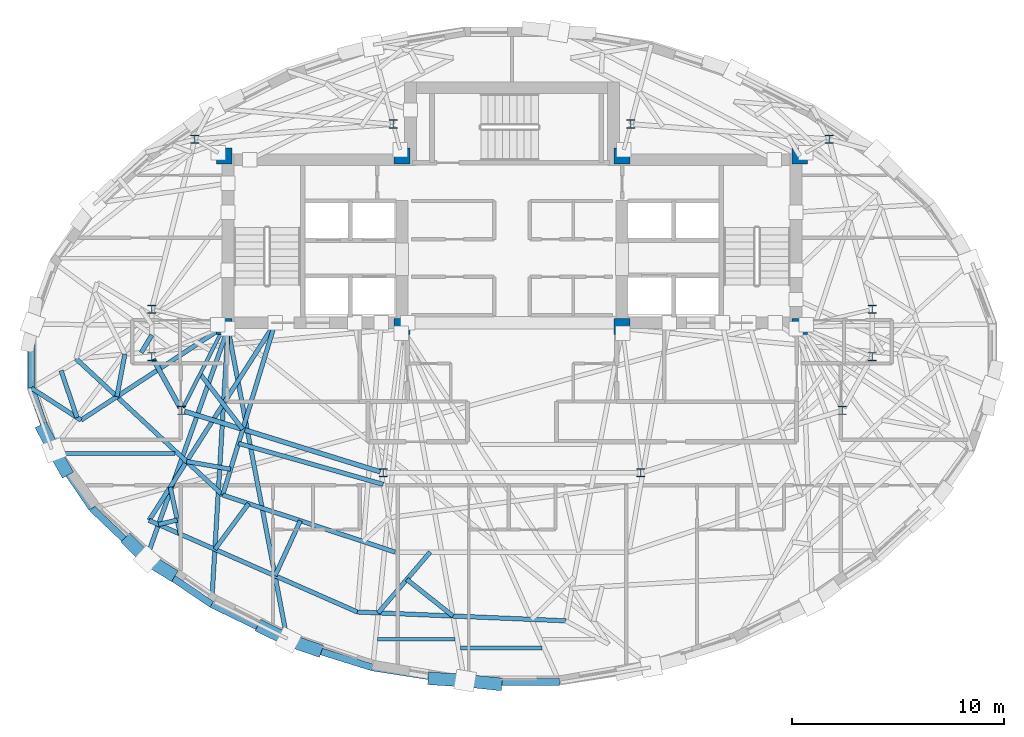
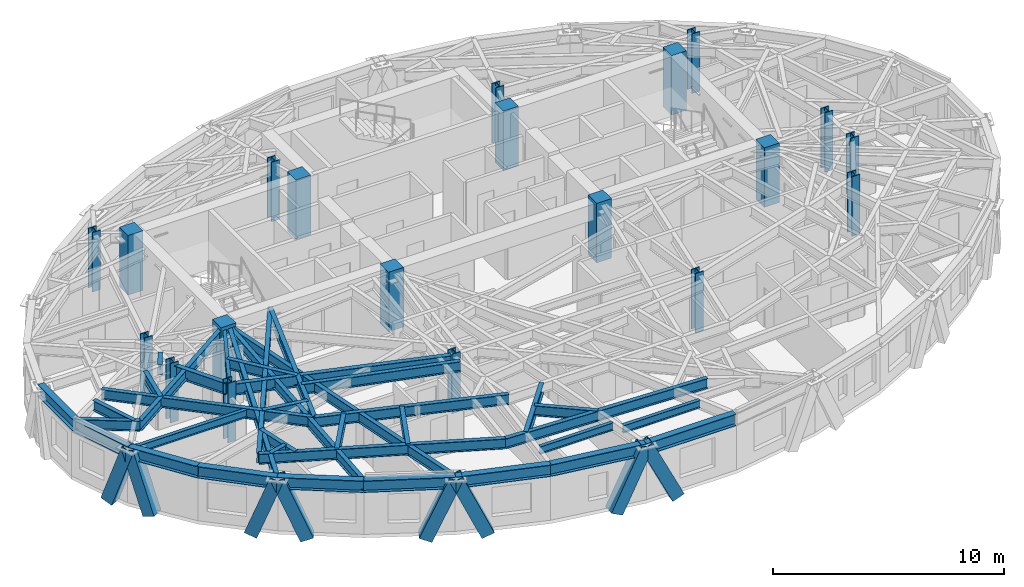
# One storey, part 1 of 14: 38 beams, 20 columns, 8 members.
"""IFC4 building model written with IfcOpenShell, lengths in metres."""

from ifc_helpers import new_model, si_unit, direction, frame, origin, origin_2d, place, context, subcontext, project, spatial, rectangle, hollow_rectangle, i_section, extrude, material, material_profile, profile_set, type_object, element, save


model = new_model("IFC4")

# Units and contexts
model_context = context("Model", 3, precision=1e-05, world=origin(), true_north=direction((0.0, 1.0)))
body_context = subcontext(model_context, "Body", "Model", "MODEL_VIEW")
ifc_project = project(units=[si_unit("LENGTHUNIT", "METRE"), si_unit("AREAUNIT", "SQUARE_METRE"), si_unit("VOLUMEUNIT", "CUBIC_METRE"), si_unit("PLANEANGLEUNIT", "RADIAN"), si_unit("MASSUNIT", "GRAM", prefix="KILO")], contexts=[model_context])

# Site, building, storey
site_placement = place(None, origin())
site = spatial("IfcSite", under=ifc_project, at=site_placement, CompositionType="ELEMENT")
building_placement = place(site_placement, origin())
building = spatial("IfcBuilding", under=site, at=building_placement, Name="Keldmark Tower", CompositionType="ELEMENT")
storey_placement = place(building_placement, frame((0.0, 0.0, 222.60009765625)))
storey = spatial("IfcBuildingStorey", under=building, at=storey_placement, Name="L62", CompositionType="ELEMENT", Elevation=222.60009765625)

# Columns
ifc_material_1 = material(Name="Concrete C50/60", Category="concrete")
ifc_material_profile_1 = material_profile(ifc_material_1, rectangle(XDim=0.75, YDim=0.75, at=origin_2d()), Name="RC750X750")
ifc_profile_set_1 = profile_set([ifc_material_profile_1], Name="Concrete C50/60")
column_type_1 = type_object("IfcColumnType", Name="Core Boundary Column RC750", PredefinedType="PILASTER", material=ifc_profile_set_1)
for number, where, z_axis, x_axis, name in (
    (1, (-13.60009765625, 1.39990234375, 0.0), (0.0, 0.0, 1.0), (1.0, 0.0, 0.0), "L62 Core Boundary Column CC-W1"),
    (2, (-13.60009765625, 9.449951171875, 0.0), (0.0, 0.0, 1.0), (1.0, 0.0, 0.0), "L62 Core Boundary Column CC-W2"),
    (3, (-5.199951171875, 1.39990234375, 0.0), (0.0, 0.0, 1.0), (1.0, 0.0, 0.0), "L62 Core Boundary Column CC-W3"),
    (4, (-5.199951171875, 9.449951171875, 0.0), (0.0, 0.0, 1.0), (1.0, 0.0, 0.0), "L62 Core Boundary Column CC-W4"),
    (5, (5.199951171875, 1.39990234375, 0.0), (0.0, 0.0, 1.0), (1.0, 0.0, 0.0), "L62 Core Boundary Column CC-E1"),
    (6, (5.199951171875, 9.449951171875, 0.0), (0.0, 0.0, 1.0), (1.0, 0.0, 0.0), "L62 Core Boundary Column CC-E2"),
    (7, (13.60009765625, 1.39990234375, 0.0), (0.0, 0.0, 1.0), (1.0, 0.0, 0.0), "L62 Core Boundary Column CC-E3"),
    (8, (13.60009765625, 9.449951171875, 0.0), (0.0, 0.0, 1.0), (1.0, 0.0, 0.0), "L62 Core Boundary Column CC-E4"),
):
    element("IfcColumn", number, at=place(storey_placement, frame(where, z_axis=z_axis, x_axis=x_axis)), inside=storey, type_object=column_type_1, Name=name, PredefinedType="PILASTER", context=body_context, shape_type="SweptSolid", body=[
        extrude(rectangle(XDim=0.75, YDim=0.75, at=origin_2d()), origin(), (0.0, 0.0, 1.0), 3.14990234375),
    ])
ifc_material_2 = material(Name="Steel ASTM A992 Grade 50", Category="steel")
ifc_material_profile_2 = material_profile(ifc_material_2, i_section(OverallWidth=0.404052734375, OverallDepth=0.406982421875, WebThickness=0.027099609375, FlangeThickness=0.043701171875, at=origin_2d()), Name="W14X233")
ifc_profile_set_2 = profile_set([ifc_material_profile_2], Name="Steel ASTM A992 Grade 50")
column_type_2 = type_object("IfcColumnType", Name="Tower Gravity Column W14X233", PredefinedType="COLUMN", material=ifc_profile_set_2)
for number, where, z_axis, x_axis, name in (
    (9, (17.025634765625, 2.2080078125, 0.0), (0.0, 0.0, 1.0), (1.0, 0.0, 0.0), "L62 Tower Gravity Column TC-E1"),
    (10, (14.995849609375, 10.24365234375, 0.0), (0.0, 0.0, 1.0), (1.0, 0.0, 0.0), "L62 Tower Gravity Column TC-E4"),
    (11, (5.61865234375, 10.967041015625, 0.0), (0.0, 0.0, 1.0), (1.0, 0.0, 0.0), "L62 Tower Gravity Column TC-N2"),
    (12, (-5.61865234375, 10.967041015625, 0.0), (0.0, 0.0, 1.0), (1.0, 0.0, 0.0), "L62 Tower Gravity Column TC-N1"),
    (13, (-14.995849609375, 10.24365234375, 0.0), (0.0, 0.0, 1.0), (1.0, 0.0, 0.0), "L62 Tower Gravity Column TC-W4"),
    (14, (-17.025634765625, 2.2080078125, 0.0), (0.0, 0.0, 1.0), (1.0, 0.0, 0.0), "L62 Tower Gravity Column TC-W1"),
    (15, (-17.025634765625, -0.02392578125, 0.0), (0.0, 0.0, 1.0), (1.0, 0.0, 0.0), "L62 Tower Gravity Column TC-W5"),
    (16, (-15.6162109375, -2.5673828125, 0.0), (0.0, 0.0, 1.0), (1.0, 0.0, 0.0), "L62 Tower Gravity Column TC-W2"),
    (17, (-6.089599609375, -5.512939453125, 0.0), (0.0, 0.0, 1.0), (1.0, 0.0, 0.0), "L62 Tower Gravity Column TC-W3"),
    (18, (6.089599609375, -5.512939453125, 0.0), (0.0, 0.0, 1.0), (1.0, 0.0, 0.0), "L62 Tower Gravity Column TC-E3"),
    (19, (15.6162109375, -2.5673828125, 0.0), (0.0, 0.0, 1.0), (1.0, 0.0, 0.0), "L62 Tower Gravity Column TC-E2"),
    (20, (17.025634765625, -0.02392578125, 0.0), (0.0, 0.0, 1.0), (1.0, 0.0, 0.0), "L62 Tower Gravity Column TC-E5"),
):
    element("IfcColumn", number, at=place(storey_placement, frame(where, z_axis=z_axis, x_axis=x_axis)), inside=storey, type_object=column_type_2, Name=name, PredefinedType="COLUMN", context=body_context, shape_type="SweptSolid", body=[
        extrude(i_section(OverallWidth=0.404052734375, OverallDepth=0.406982421875, WebThickness=0.027099609375, FlangeThickness=0.043701171875, at=origin_2d()), origin(), (0.0, 0.0, 1.0), 3.14990234375),
    ])

# Beams
ifc_material_3 = material(Name="Steel ASTM A992 Grade 50", Category="steel")
ifc_material_profile_3 = material_profile(ifc_material_3, i_section(OverallWidth=0.177978515625, OverallDepth=0.403076171875, WebThickness=0.007568359375, FlangeThickness=0.010986328125, at=origin_2d()), Name="W16X36")
ifc_profile_set_3 = profile_set([ifc_material_profile_3], Name="Steel ASTM A992 Grade 50")
beam_type_1 = type_object("IfcBeamType", Name="Composite Floor Joist W16X36", PredefinedType="JOIST", material=ifc_profile_set_3)
beam_1_placement = place(storey_placement, frame((-6.35205078125, -13.3798828125, 2.768310546875), z_axis=(1.0, 0.0, 0.0), x_axis=(0.0, 1.0, 0.0)))
element("IfcBeam", 21, at=beam_1_placement, inside=storey, type_object=beam_type_1, Name="L62 Composite Floor Joist J01", PredefinedType="JOIST", context=body_context, shape_type="SweptSolid", body=[
    extrude(i_section(OverallWidth=0.177978515625, OverallDepth=0.403076171875, WebThickness=0.007568359375, FlangeThickness=0.010986328125, at=origin_2d()), origin(), (0.0, 0.0, 1.0), 3.6591796875),
])
beam_2_placement = place(storey_placement, frame((-2.423095703125, -13.800048828125, 2.768310546875), z_axis=(1.0, 0.0, 0.0), x_axis=(0.0, 1.0, 0.0)))
element("IfcBeam", 22, at=beam_2_placement, inside=storey, type_object=beam_type_1, Name="L62 Composite Floor Joist J02", PredefinedType="JOIST", context=body_context, shape_type="SweptSolid", body=[
    extrude(i_section(OverallWidth=0.177978515625, OverallDepth=0.403076171875, WebThickness=0.007568359375, FlangeThickness=0.010986328125, at=origin_2d()), origin(), (0.0, 0.0, 1.0), 3.841552734375),
])
beam_3_placement = place(storey_placement, frame((-21.429931640625, -4.60009765625, 2.768310546875), z_axis=(1.0, 0.0, 0.0), x_axis=(0.0, 1.0, 0.0)))
element("IfcBeam", 23, at=beam_3_placement, inside=storey, type_object=beam_type_1, Name="L62 Composite Floor Joist J05", PredefinedType="JOIST", context=body_context, shape_type="SweptSolid", body=[
    extrude(i_section(OverallWidth=0.177978515625, OverallDepth=0.403076171875, WebThickness=0.007568359375, FlangeThickness=0.010986328125, at=origin_2d()), origin(), (0.0, 0.0, 1.0), 5.494384765625),
])

# Members
ifc_material_4 = material(Name="Steel ASTM A572 Grade 50", Category="steel")
ifc_material_profile_4 = material_profile(ifc_material_4, hollow_rectangle(XDim=0.60009765625, YDim=0.60009765625, WallThickness=0.034912109375, at=origin_2d()), Name="BOX600X600X35")
ifc_profile_set_4 = profile_set([ifc_material_profile_4], Name="Steel ASTM A572 Grade 50")
member_type = type_object("IfcMemberType", Name="Diagrid Zone 4 Brace BOX600X600X35", PredefinedType="BRACE", material=ifc_profile_set_4)
member_1_placement = place(storey_placement, frame((-22.144775390625, -3.5, -0.260009765625), z_axis=(0.150685505266, -0.291582385191, 0.944602345513), x_axis=(0.88838290515, 0.45910327143, 0.0)))
element("IfcMember", 24, at=member_1_placement, inside=storey, type_object=member_type, Name="L62 Perimeter Diagrid Brace 09A", PredefinedType="BRACE", context=body_context, shape_type="SweptSolid", body=[
    extrude(hollow_rectangle(XDim=0.60009765625, YDim=0.60009765625, WallThickness=0.034912109375, at=origin_2d()), origin(), (0.0, 0.0, 1.0), 3.292236328125),
])
member_2_placement = place(storey_placement, frame((-21.127685546875, -5.379638671875, -0.260009765625), z_axis=(-0.159186475912, 0.283179673101, 0.945763680117), x_axis=(-0.871709789127, -0.490022492892, 0.0)))
element("IfcMember", 25, at=member_2_placement, inside=storey, type_object=member_type, Name="L62 Perimeter Diagrid Brace 09B", PredefinedType="BRACE", context=body_context, shape_type="SweptSolid", body=[
    extrude(hollow_rectangle(XDim=0.60009765625, YDim=0.60009765625, WallThickness=0.034912109375, at=origin_2d()), origin(), (0.0, 0.0, 1.0), 3.2880859375),
])
member_3_placement = place(storey_placement, frame((-18.072265625, -8.77392578125, -0.260009765625), z_axis=(0.248197625817, -0.248859094171, 0.936198210737), x_axis=(0.70804715098, 0.706165159144, 0.0)))
element("IfcMember", 26, at=member_3_placement, inside=storey, type_object=member_type, Name="L62 Perimeter Diagrid Brace 10A", PredefinedType="BRACE", context=body_context, shape_type="SweptSolid", body=[
    extrude(hollow_rectangle(XDim=0.60009765625, YDim=0.60009765625, WallThickness=0.034912109375, at=origin_2d()), origin(), (0.0, 0.0, 1.0), 3.32177734375),
])
member_4_placement = place(storey_placement, frame((-16.172119140625, -10.261962890625, -0.260009765625), z_axis=(-0.32205725029, 0.199714726155, 0.925415126142), x_axis=(-0.527014445873, -0.849856325411, 0.0)))
element("IfcMember", 27, at=member_4_placement, inside=storey, type_object=member_type, Name="L62 Perimeter Diagrid Brace 10B", PredefinedType="BRACE", context=body_context, shape_type="SweptSolid", body=[
    extrude(hollow_rectangle(XDim=0.60009765625, YDim=0.60009765625, WallThickness=0.034912109375, at=origin_2d()), origin(), (0.0, 0.0, 1.0), 3.360595703125),
])
member_5_placement = place(storey_placement, frame((-11.763427734375, -12.83984375, -0.260009765625), z_axis=(0.351630084387, -0.171516297583, 0.920292585767), x_axis=(0.438401801846, 0.898779094182, 0.0)))
element("IfcMember", 28, at=member_5_placement, inside=storey, type_object=member_type, Name="L62 Perimeter Diagrid Brace 11A", PredefinedType="BRACE", context=body_context, shape_type="SweptSolid", body=[
    extrude(hollow_rectangle(XDim=0.60009765625, YDim=0.60009765625, WallThickness=0.034912109375, at=origin_2d()), origin(), (0.0, 0.0, 1.0), 3.379150390625),
])
member_6_placement = place(storey_placement, frame((-9.2626953125, -13.870849609375, -0.260009765625), z_axis=(-0.38774311442, 0.134235291643, 0.911940877304), x_axis=(-0.327146519512, -0.944973626495, 0.0)))
element("IfcMember", 29, at=member_6_placement, inside=storey, type_object=member_type, Name="L62 Perimeter Diagrid Brace 11B", PredefinedType="BRACE", context=body_context, shape_type="SweptSolid", body=[
    extrude(hollow_rectangle(XDim=0.60009765625, YDim=0.60009765625, WallThickness=0.034912109375, at=origin_2d()), origin(), (0.0, 0.0, 1.0), 3.41015625),
])
member_7_placement = place(storey_placement, frame((-3.69677734375, -15.248779296875, -0.260009765625), z_axis=(0.428979212021, -0.0274314202, 0.902897753259), x_axis=(0.063815463334, 0.997961716019, 0.0)))
element("IfcMember", 30, at=member_7_placement, inside=storey, type_object=member_type, Name="L62 Perimeter Diagrid Brace 12A", PredefinedType="BRACE", context=body_context, shape_type="SweptSolid", body=[
    extrude(hollow_rectangle(XDim=0.60009765625, YDim=0.60009765625, WallThickness=0.034912109375, at=origin_2d()), origin(), (0.0, 0.0, 1.0), 3.4443359375),
])
member_8_placement = place(storey_placement, frame((-0.7470703125, -15.493896484375, -0.260009765625), z_axis=(-0.430162368502, 0.044311608143, 0.901663361853), x_axis=(-0.102469121645, -0.994736185684, 0.0)))
element("IfcMember", 31, at=member_8_placement, inside=storey, type_object=member_type, Name="L62 Perimeter Diagrid Brace 12B", PredefinedType="BRACE", context=body_context, shape_type="SweptSolid", body=[
    extrude(hollow_rectangle(XDim=0.60009765625, YDim=0.60009765625, WallThickness=0.034912109375, at=origin_2d()), origin(), (0.0, 0.0, 1.0), 3.448974609375),
])

# Beams
ifc_material_5 = material(Name="Steel ASTM A992 Grade 50", Category="steel")
ifc_material_profile_5 = material_profile(ifc_material_5, i_section(OverallWidth=0.22802734375, OverallDepth=0.60302734375, WebThickness=0.010498046875, FlangeThickness=0.014892578125, at=origin_2d()), Name="W24X68")
ifc_profile_set_5 = profile_set([ifc_material_profile_5], Name="Steel ASTM A992 Grade 50")
beam_type_2 = type_object("IfcBeamType", Name="Primary Floor Girder W24X68", PredefinedType="BEAM", material=ifc_profile_set_5)
beam_4_placement = place(storey_placement, frame((-16.957763671875, -0.146484375, 2.66845703125), z_axis=(0.484719680408, -0.874669555561, 0.0), x_axis=(0.874669555561, 0.484719680408, 0.0)))
element("IfcBeam", 32, at=beam_4_placement, inside=storey, type_object=beam_type_2, Name="L62 Floor Ring Girder FG-R07", PredefinedType="BEAM", context=body_context, shape_type="SweptSolid", body=[
    extrude(i_section(OverallWidth=0.22802734375, OverallDepth=0.60302734375, WebThickness=0.010498046875, FlangeThickness=0.014892578125, at=origin_2d()), origin(), (0.0, 0.0, 1.0), 2.627685546875),
])
beam_5_placement = place(storey_placement, frame((-15.482421875, -2.60888671875, 2.66845703125), z_axis=(0.955383255089, -0.295368982622, 0.0), x_axis=(0.295368982622, 0.955383255089, 0.0)))
element("IfcBeam", 33, at=beam_5_placement, inside=storey, type_object=beam_type_2, Name="L62 Floor Ring Girder FG-R08", PredefinedType="BEAM", context=body_context, shape_type="SweptSolid", body=[
    extrude(i_section(OverallWidth=0.22802734375, OverallDepth=0.60302734375, WebThickness=0.010498046875, FlangeThickness=0.014892578125, at=origin_2d()), origin(), (0.0, 0.0, 1.0), 9.69140625),
])
ifc_material_6 = material(Name="Steel ASTM A992 Grade 50", Category="steel")
ifc_material_profile_6 = material_profile(ifc_material_6, i_section(OverallWidth=0.166015625, OverallDepth=0.529052734375, WebThickness=0.009765625, FlangeThickness=0.013671875, at=origin_2d()), Name="W21X50")
ifc_profile_set_6 = profile_set([ifc_material_profile_6], Name="Steel ASTM A992 Grade 50")
beam_type_3 = type_object("IfcBeamType", Name="Radial Tie Girder W21X50", PredefinedType="BEAM", material=ifc_profile_set_6)
beam_6_placement = place(storey_placement, frame((-15.552734375, -2.442626953125, 2.705322265625), z_axis=(0.453004410574, 0.89150827478, 0.0), x_axis=(-0.89150827478, 0.453004410574, 0.0)))
element("IfcBeam", 34, at=beam_6_placement, inside=storey, type_object=beam_type_3, Name="L62 Floor Radial Girder FG-C08", PredefinedType="BEAM", context=body_context, shape_type="SweptSolid", body=[
    extrude(i_section(OverallWidth=0.166015625, OverallDepth=0.529052734375, WebThickness=0.009765625, FlangeThickness=0.013671875, at=origin_2d()), origin(), (0.0, 0.0, 1.0), 3.990234375),
])
ifc_material_7 = material(Name="Steel ASTM A992 Grade 50", Category="steel")
ifc_material_profile_7 = material_profile(ifc_material_7, i_section(OverallWidth=0.2099609375, OverallDepth=0.537109375, WebThickness=0.010986328125, FlangeThickness=0.017333984375, at=origin_2d()), Name="W21X68")
ifc_profile_set_7 = profile_set([ifc_material_profile_7], Name="Steel ASTM A992 Grade 50")
beam_type_4 = type_object("IfcBeamType", Name="Radial Tie Girder W21X68", PredefinedType="BEAM", material=ifc_profile_set_7)
beam_7_placement = place(storey_placement, frame((-17.025634765625, 0.994384765625, 2.701416015625), z_axis=(-0.515087415322, -0.857137652059, 0.0), x_axis=(0.857137652059, -0.515087415322, 0.0)))
element("IfcBeam", 35, at=beam_7_placement, inside=storey, type_object=beam_type_4, Name="L62 Framing Pin Header PH-001", PredefinedType="BEAM", context=body_context, shape_type="SweptSolid", body=[
    extrude(i_section(OverallWidth=0.2099609375, OverallDepth=0.537109375, WebThickness=0.010986328125, FlangeThickness=0.017333984375, at=origin_2d()), origin(), (0.0, 0.0, 1.0), 0.970703125),
])
beam_8_placement = place(storey_placement, frame((-14.7392578125, -0.841796875, 2.701416015625), z_axis=(0.609371387623, -0.792884929827, 0.0), x_axis=(0.792884929827, 0.609371387623, 0.0)))
element("IfcBeam", 36, at=beam_8_placement, inside=storey, type_object=beam_type_4, Name="L62 Framing Pin Header PH-002", PredefinedType="BEAM", context=body_context, shape_type="SweptSolid", body=[
    extrude(i_section(OverallWidth=0.2099609375, OverallDepth=0.537109375, WebThickness=0.010986328125, FlangeThickness=0.017333984375, at=origin_2d()), origin(), (0.0, 0.0, 1.0), 3.30322265625),
])
beam_9_placement = place(storey_placement, frame((-11.19287109375, 1.574951171875, 2.701416015625), z_axis=(-0.29127571645, -0.956639146704, 0.0), x_axis=(0.956639146704, -0.29127571645, 0.0)))
element("IfcBeam", 37, at=beam_9_placement, inside=storey, type_object=beam_type_4, Name="L62 Sub-Ring Step Girder STP1-M08", PredefinedType="BEAM", context=body_context, shape_type="SweptSolid", body=[
    extrude(i_section(OverallWidth=0.2099609375, OverallDepth=0.537109375, WebThickness=0.010986328125, FlangeThickness=0.017333984375, at=origin_2d()), origin(), (0.0, 0.0, 1.0), 8.51416015625),
])
beam_10_placement = place(storey_placement, frame((-12.928955078125, -4.12646484375, 2.701416015625), z_axis=(0.96218855476, -0.272384259987, 0.0), x_axis=(0.272384259987, 0.96218855476, 0.0)))
element("IfcBeam", 38, at=beam_10_placement, inside=storey, type_object=beam_type_4, Name="L62 Framing Pin Header PH-003", PredefinedType="BEAM", context=body_context, shape_type="SweptSolid", body=[
    extrude(i_section(OverallWidth=0.2099609375, OverallDepth=0.537109375, WebThickness=0.010986328125, FlangeThickness=0.017333984375, at=origin_2d()), origin(), (0.0, 0.0, 1.0), 7.108642578125),
])
beam_11_placement = place(storey_placement, frame((-20.609130859375, -0.122314453125, 2.701416015625), z_axis=(0.732428867683, -0.680843560434, 0.0), x_axis=(0.680843560434, 0.732428867683, 0.0)))
element("IfcBeam", 39, at=beam_11_placement, inside=storey, type_object=beam_type_4, Name="L62 Perimeter Collector Ring Beam CRG1-M07", PredefinedType="BEAM", context=body_context, shape_type="SweptSolid", body=[
    extrude(i_section(OverallWidth=0.2099609375, OverallDepth=0.537109375, WebThickness=0.010986328125, FlangeThickness=0.017333984375, at=origin_2d()), origin(), (0.0, 0.0, 1.0), 9.47021484375),
])
beam_12_placement = place(storey_placement, frame((-13.6728515625, -6.570068359375, 2.701416015625), z_axis=(0.949448730042, -0.313922138469, 0.0), x_axis=(0.313922138469, 0.949448730042, 0.0)))
element("IfcBeam", 40, at=beam_12_placement, inside=storey, type_object=beam_type_4, Name="L62 Perimeter Collector Ring Beam CRG1-M08", PredefinedType="BEAM", context=body_context, shape_type="SweptSolid", body=[
    extrude(i_section(OverallWidth=0.2099609375, OverallDepth=0.537109375, WebThickness=0.010986328125, FlangeThickness=0.017333984375, at=origin_2d()), origin(), (0.0, 0.0, 1.0), 8.58056640625),
])
beam_13_placement = place(storey_placement, frame((-13.30078125, -5.34814453125, 2.701416015625), z_axis=(-0.984925243777, 0.172980531192, 0.0), x_axis=(-0.172980531192, -0.984925243777, 0.0)))
element("IfcBeam", 41, at=beam_13_placement, inside=storey, type_object=beam_type_4, Name="L62 Framing Pin Header PH-008", PredefinedType="BEAM", context=body_context, shape_type="SweptSolid", body=[
    extrude(i_section(OverallWidth=0.2099609375, OverallDepth=0.537109375, WebThickness=0.010986328125, FlangeThickness=0.017333984375, at=origin_2d()), origin(), (0.0, 0.0, 1.0), 2.111328125),
])
beam_14_placement = place(storey_placement, frame((-11.19287109375, 1.574951171875, 2.701416015625), z_axis=(-0.538175000273, -0.842833120541, 0.0), x_axis=(0.842833120541, -0.538175000273, 0.0)))
element("IfcBeam", 42, at=beam_14_placement, inside=storey, type_object=beam_type_4, Name="L62 Sub-Ring Step Girder STP2-M08", PredefinedType="BEAM", context=body_context, shape_type="SweptSolid", body=[
    extrude(i_section(OverallWidth=0.2099609375, OverallDepth=0.537109375, WebThickness=0.010986328125, FlangeThickness=0.017333984375, at=origin_2d()), origin(), (0.0, 0.0, 1.0), 11.081298828125),
])
beam_15_placement = place(storey_placement, frame((-17.156494140625, -7.7646484375, 2.701416015625), z_axis=(0.915306997822, -0.402756874228, 0.0), x_axis=(0.402756874228, 0.915306997822, 0.0)))
element("IfcBeam", 43, at=beam_15_placement, inside=storey, type_object=beam_type_4, Name="L62 Perimeter Collector Ring Beam CRG2-M08", PredefinedType="BEAM", context=body_context, shape_type="SweptSolid", body=[
    extrude(i_section(OverallWidth=0.2099609375, OverallDepth=0.537109375, WebThickness=0.010986328125, FlangeThickness=0.017333984375, at=origin_2d()), origin(), (0.0, 0.0, 1.0), 10.75341796875),
])
beam_16_placement = place(storey_placement, frame((-7.313720703125, -12.095703125, 2.701416015625), z_axis=(0.99910142548, -0.042383270323, 0.0), x_axis=(0.042383270323, 0.99910142548, 0.0)))
element("IfcBeam", 44, at=beam_16_placement, inside=storey, type_object=beam_type_4, Name="L62 Perimeter Collector Ring Beam CRG2-M09", PredefinedType="BEAM", context=body_context, shape_type="SweptSolid", body=[
    extrude(i_section(OverallWidth=0.2099609375, OverallDepth=0.537109375, WebThickness=0.010986328125, FlangeThickness=0.017333984375, at=origin_2d()), origin(), (0.0, 0.0, 1.0), 9.861572265625),
])
beam_17_placement = place(storey_placement, frame((-18.2978515625, 0.091064453125, 2.701416015625), z_axis=(-0.185016388306, -0.982735435434, 0.0), x_axis=(0.982735435434, -0.185016388306, 0.0)))
element("IfcBeam", 45, at=beam_17_placement, inside=storey, type_object=beam_type_4, Name="L62 Framing Pin Header PH-022", PredefinedType="BEAM", context=body_context, shape_type="SweptSolid", body=[
    extrude(i_section(OverallWidth=0.2099609375, OverallDepth=0.537109375, WebThickness=0.010986328125, FlangeThickness=0.017333984375, at=origin_2d()), origin(), (0.0, 0.0, 1.0), 2.04541015625),
])
beam_18_placement = place(storey_placement, frame((-13.60009765625, 1.39990234375, 2.701416015625), z_axis=(-0.836989817721, -0.547218461889, 0.0), x_axis=(0.547218461889, -0.836989817721, 0.0)))
element("IfcBeam", 46, at=beam_18_placement, inside=storey, type_object=beam_type_4, Name="L62 Intermediate Radial Step Girder RT-18M", PredefinedType="BEAM", context=body_context, shape_type="SweptSolid", body=[
    extrude(i_section(OverallWidth=0.2099609375, OverallDepth=0.537109375, WebThickness=0.010986328125, FlangeThickness=0.017333984375, at=origin_2d()), origin(), (0.0, 0.0, 1.0), 8.089111328125),
])
beam_19_placement = place(storey_placement, frame((-22.709228515625, -1.516845703125, 2.701416015625), z_axis=(0.840136794559, -0.542374562851, 0.0), x_axis=(0.542374562851, 0.840136794559, 0.0)))
element("IfcBeam", 47, at=beam_19_placement, inside=storey, type_object=beam_type_4, Name="L62 Local Collector Chord RT-18C", PredefinedType="BEAM", context=body_context, shape_type="SweptSolid", body=[
    extrude(i_section(OverallWidth=0.2099609375, OverallDepth=0.537109375, WebThickness=0.010986328125, FlangeThickness=0.017333984375, at=origin_2d()), origin(), (0.0, 0.0, 1.0), 2.78369140625),
])
beam_20_placement = place(storey_placement, frame((-21.316650390625, -0.681884765625, 2.701416015625), z_axis=(0.322180515145, -0.946678253506, 0.0), x_axis=(0.946678253506, 0.322180515145, 0.0)))
element("IfcBeam", 48, at=beam_20_placement, inside=storey, type_object=beam_type_4, Name="L62 Framing Pin Header PH-023", PredefinedType="BEAM", context=body_context, shape_type="SweptSolid", body=[
    extrude(i_section(OverallWidth=0.2099609375, OverallDepth=0.537109375, WebThickness=0.010986328125, FlangeThickness=0.017333984375, at=origin_2d()), origin(), (0.0, 0.0, 1.0), 2.34765625),
])
beam_21_placement = place(storey_placement, frame((-15.68017578125, -8.414306640625, 2.701416015625), z_axis=(-0.2077160976, 0.978189154917, 0.0), x_axis=(-0.978189154917, -0.2077160976, 0.0)))
element("IfcBeam", 49, at=beam_21_placement, inside=storey, type_object=beam_type_4, Name="L62 Framing Pin Header PH-024", PredefinedType="BEAM", context=body_context, shape_type="SweptSolid", body=[
    extrude(i_section(OverallWidth=0.2099609375, OverallDepth=0.537109375, WebThickness=0.010986328125, FlangeThickness=0.017333984375, at=origin_2d()), origin(), (0.0, 0.0, 1.0), 2.27197265625),
])
beam_22_placement = place(storey_placement, frame((-15.82177734375, -7.74755859375, 2.701416015625), z_axis=(-0.972183060979, -0.234222321622, 0.0), x_axis=(0.234222321622, -0.972183060979, 0.0)))
element("IfcBeam", 50, at=beam_22_placement, inside=storey, type_object=beam_type_4, Name="L62 Framing Pin Header PH-025", PredefinedType="BEAM", context=body_context, shape_type="SweptSolid", body=[
    extrude(i_section(OverallWidth=0.2099609375, OverallDepth=0.537109375, WebThickness=0.010986328125, FlangeThickness=0.017333984375, at=origin_2d()), origin(), (0.0, 0.0, 1.0), 0.9130859375),
])
beam_23_placement = place(storey_placement, frame((-13.425048828125, 1.300048828125, 2.701416015625), z_axis=(-0.33423490691, -0.942489802068, 0.0), x_axis=(0.942489802068, -0.33423490691, 0.0)))
element("IfcBeam", 51, at=beam_23_placement, inside=storey, type_object=beam_type_4, Name="L62 Perimeter Radial Tie Girder RT-20", PredefinedType="BEAM", context=body_context, shape_type="SweptSolid", body=[
    extrude(i_section(OverallWidth=0.2099609375, OverallDepth=0.537109375, WebThickness=0.010986328125, FlangeThickness=0.017333984375, at=origin_2d()), origin(), (0.0, 0.0, 1.0), 11.595947265625),
])
beam_24_placement = place(storey_placement, frame((-12.450927734375, -6.97412109375, 2.701416015625), z_axis=(-0.593577492272, -0.804776839048, 0.0), x_axis=(0.804776839048, -0.593577492272, 0.0)))
element("IfcBeam", 52, at=beam_24_placement, inside=storey, type_object=beam_type_4, Name="L62 Framing Pin Header PH-026", PredefinedType="BEAM", context=body_context, shape_type="SweptSolid", body=[
    extrude(i_section(OverallWidth=0.2099609375, OverallDepth=0.537109375, WebThickness=0.010986328125, FlangeThickness=0.017333984375, at=origin_2d()), origin(), (0.0, 0.0, 1.0), 2.68408203125),
])
beam_25_placement = place(storey_placement, frame((-13.425048828125, 1.300048828125, 2.701416015625), z_axis=(-0.059221876294, -0.998244844399, 0.0), x_axis=(0.998244844399, -0.059221876294, 0.0)))
element("IfcBeam", 53, at=beam_25_placement, inside=storey, type_object=beam_type_4, Name="L62 Perimeter Radial Tie Girder RT-21", PredefinedType="BEAM", context=body_context, shape_type="SweptSolid", body=[
    extrude(i_section(OverallWidth=0.2099609375, OverallDepth=0.537109375, WebThickness=0.010986328125, FlangeThickness=0.017333984375, at=origin_2d()), origin(), (0.0, 0.0, 1.0), 13.055908203125),
])
beam_26_placement = place(storey_placement, frame((-10.0068359375, -7.7822265625, 2.701416015625), z_axis=(-0.416537287882, -0.909118632415, 0.0), x_axis=(0.909118632415, -0.416537287882, 0.0)))
element("IfcBeam", 54, at=beam_26_placement, inside=storey, type_object=beam_type_4, Name="L62 Framing Pin Header PH-027", PredefinedType="BEAM", context=body_context, shape_type="SweptSolid", body=[
    extrude(i_section(OverallWidth=0.2099609375, OverallDepth=0.537109375, WebThickness=0.010986328125, FlangeThickness=0.017333984375, at=origin_2d()), origin(), (0.0, 0.0, 1.0), 2.86376953125),
])
beam_27_placement = place(storey_placement, frame((-13.425048828125, 1.300048828125, 2.701416015625), z_axis=(0.187062101392, -0.982348090151, 0.0), x_axis=(0.982348090151, 0.187062101392, 0.0)))
element("IfcBeam", 55, at=beam_27_placement, inside=storey, type_object=beam_type_4, Name="L62 Perimeter Radial Tie Girder RT-22", PredefinedType="BEAM", context=body_context, shape_type="SweptSolid", body=[
    extrude(i_section(OverallWidth=0.2099609375, OverallDepth=0.537109375, WebThickness=0.010986328125, FlangeThickness=0.017333984375, at=origin_2d()), origin(), (0.0, 0.0, 1.0), 15.03125),
])
beam_28_placement = place(storey_placement, frame((-3.868408203125, -9.263671875, 2.701416015625), z_axis=(-0.649289724763, -0.7605411582, 0.0), x_axis=(0.7605411582, -0.649289724763, 0.0)))
element("IfcBeam", 56, at=beam_28_placement, inside=storey, type_object=beam_type_4, Name="L62 Framing Pin Header PH-028", PredefinedType="BEAM", context=body_context, shape_type="SweptSolid", body=[
    extrude(i_section(OverallWidth=0.2099609375, OverallDepth=0.537109375, WebThickness=0.010986328125, FlangeThickness=0.017333984375, at=origin_2d()), origin(), (0.0, 0.0, 1.0), 3.77880859375),
])
beam_29_placement = place(storey_placement, frame((-4.972412109375, -10.556884765625, 2.701416015625), z_axis=(0.78365653506, -0.62119436174, 0.0), x_axis=(0.62119436174, 0.78365653506, 0.0)))
element("IfcBeam", 57, at=beam_29_placement, inside=storey, type_object=beam_type_4, Name="L62 Framing Pin Header PH-029", PredefinedType="BEAM", context=body_context, shape_type="SweptSolid", body=[
    extrude(i_section(OverallWidth=0.2099609375, OverallDepth=0.537109375, WebThickness=0.010986328125, FlangeThickness=0.017333984375, at=origin_2d()), origin(), (0.0, 0.0, 1.0), 2.7861328125),
])
ifc_material_8 = material(Name="Steel ASTM A992 Grade 50", Category="steel")
ifc_material_profile_8 = material_profile(ifc_material_8, i_section(OverallWidth=0.326904296875, OverallDepth=0.6220703125, WebThickness=0.015380859375, FlangeThickness=0.0244140625, at=origin_2d()), Name="W24X131")
ifc_profile_set_8 = profile_set([ifc_material_profile_8], Name="Steel ASTM A992 Grade 50")
beam_type_5 = type_object("IfcBeamType", Name="Spandrel Ring Beam W24X131", PredefinedType="SPANDREL", material=ifc_profile_set_8)
beam_30_placement = place(storey_placement, frame((-22.709228515625, 1.516845703125, 2.658935546875), z_axis=(0.0, -1.0, 0.0), x_axis=(1.0, 0.0, 0.0)))
element("IfcBeam", 58, at=beam_30_placement, inside=storey, type_object=beam_type_5, Name="L62 Perimeter Spandrel Ring Beam SRB-16", PredefinedType="SPANDREL", context=body_context, shape_type="SweptSolid", body=[
    extrude(i_section(OverallWidth=0.326904296875, OverallDepth=0.6220703125, WebThickness=0.015380859375, FlangeThickness=0.0244140625, at=origin_2d()), origin(), (0.0, 0.0, 1.0), 3.03369140625),
])
beam_31_placement = place(storey_placement, frame((-22.709228515625, -1.516845703125, 2.658935546875), z_axis=(0.321350327807, -0.946960382919, 0.0), x_axis=(0.946960382919, 0.321350327807, 0.0)))
element("IfcBeam", 59, at=beam_31_placement, inside=storey, type_object=beam_type_5, Name="L62 Perimeter Spandrel Ring Beam SRB-17", PredefinedType="SPANDREL", context=body_context, shape_type="SweptSolid", body=[
    extrude(i_section(OverallWidth=0.326904296875, OverallDepth=0.6220703125, WebThickness=0.015380859375, FlangeThickness=0.0244140625, at=origin_2d()), origin(), (0.0, 0.0, 1.0), 3.1142578125),
])
beam_32_placement = place(storey_placement, frame((-21.70849609375, -4.4658203125, 2.658935546875), z_axis=(0.561186647073, -0.827689281764, 0.0), x_axis=(0.827689281764, 0.561186647073, 0.0)))
element("IfcBeam", 60, at=beam_32_placement, inside=storey, type_object=beam_type_5, Name="L62 Perimeter Spandrel Ring Beam SRB-18", PredefinedType="SPANDREL", context=body_context, shape_type="SweptSolid", body=[
    extrude(i_section(OverallWidth=0.326904296875, OverallDepth=0.6220703125, WebThickness=0.015380859375, FlangeThickness=0.0244140625, at=origin_2d()), origin(), (0.0, 0.0, 1.0), 3.30078125),
])
beam_33_placement = place(storey_placement, frame((-19.856201171875, -7.19775390625, 2.658935546875), z_axis=(0.724503260132, -0.689271373306, 0.0), x_axis=(0.689271373306, 0.724503260132, 0.0)))
element("IfcBeam", 61, at=beam_33_placement, inside=storey, type_object=beam_type_5, Name="L62 Perimeter Spandrel Ring Beam SRB-19", PredefinedType="SPANDREL", context=body_context, shape_type="SweptSolid", body=[
    extrude(i_section(OverallWidth=0.326904296875, OverallDepth=0.6220703125, WebThickness=0.015380859375, FlangeThickness=0.0244140625, at=origin_2d()), origin(), (0.0, 0.0, 1.0), 3.527099609375),
])
beam_34_placement = place(storey_placement, frame((-17.30078125, -9.62890625, 2.658935546875), z_axis=(0.827635686249, -0.561265686504, 0.0), x_axis=(0.561265686504, 0.827635686249, 0.0)))
element("IfcBeam", 62, at=beam_34_placement, inside=storey, type_object=beam_type_5, Name="L62 Perimeter Spandrel Ring Beam SRB-20", PredefinedType="SPANDREL", context=body_context, shape_type="SweptSolid", body=[
    extrude(i_section(OverallWidth=0.326904296875, OverallDepth=0.6220703125, WebThickness=0.015380859375, FlangeThickness=0.0244140625, at=origin_2d()), origin(), (0.0, 0.0, 1.0), 3.748779296875),
])
beam_35_placement = place(storey_placement, frame((-14.1982421875, -11.73291015625, 2.658935546875), z_axis=(0.900331335269, -0.435205108808, 0.0), x_axis=(0.435205108808, 0.900331335269, 0.0)))
element("IfcBeam", 63, at=beam_35_placement, inside=storey, type_object=beam_type_5, Name="L62 Perimeter Spandrel Ring Beam SRB-21", PredefinedType="SPANDREL", context=body_context, shape_type="SweptSolid", body=[
    extrude(i_section(OverallWidth=0.326904296875, OverallDepth=0.6220703125, WebThickness=0.015380859375, FlangeThickness=0.0244140625, at=origin_2d()), origin(), (0.0, 0.0, 1.0), 3.98193359375),
])
beam_36_placement = place(storey_placement, frame((-10.61328125, -13.4658203125, 2.658935546875), z_axis=(0.954643532685, -0.297751113352, 0.0), x_axis=(0.297751113352, 0.954643532685, 0.0)))
element("IfcBeam", 64, at=beam_36_placement, inside=storey, type_object=beam_type_5, Name="L62 Perimeter Spandrel Ring Beam SRB-22", PredefinedType="SPANDREL", context=body_context, shape_type="SweptSolid", body=[
    extrude(i_section(OverallWidth=0.326904296875, OverallDepth=0.6220703125, WebThickness=0.015380859375, FlangeThickness=0.0244140625, at=origin_2d()), origin(), (0.0, 0.0, 1.0), 4.219482421875),
])
beam_37_placement = place(storey_placement, frame((-6.585205078125, -14.72216796875, 2.658935546875), z_axis=(0.988045590858, -0.15416196154, 0.0), x_axis=(0.15416196154, 0.988045590858, 0.0)))
element("IfcBeam", 65, at=beam_37_placement, inside=storey, type_object=beam_type_5, Name="L62 Perimeter Spandrel Ring Beam SRB-23", PredefinedType="SPANDREL", context=body_context, shape_type="SweptSolid", body=[
    extrude(i_section(OverallWidth=0.326904296875, OverallDepth=0.6220703125, WebThickness=0.015380859375, FlangeThickness=0.0244140625, at=origin_2d()), origin(), (0.0, 0.0, 1.0), 4.40087890625),
])
beam_38_placement = place(storey_placement, frame((-2.23681640625, -15.400634765625, 2.658935546875), z_axis=(1.0, 0.0, 0.0), x_axis=(0.0, 1.0, 0.0)))
element("IfcBeam", 66, at=beam_38_placement, inside=storey, type_object=beam_type_5, Name="L62 Perimeter Spandrel Ring Beam SRB-24", PredefinedType="SPANDREL", context=body_context, shape_type="SweptSolid", body=[
    extrude(i_section(OverallWidth=0.326904296875, OverallDepth=0.6220703125, WebThickness=0.015380859375, FlangeThickness=0.0244140625, at=origin_2d()), origin(), (0.0, 0.0, 1.0), 4.4736328125),
])

save(model, "model.ifc")
